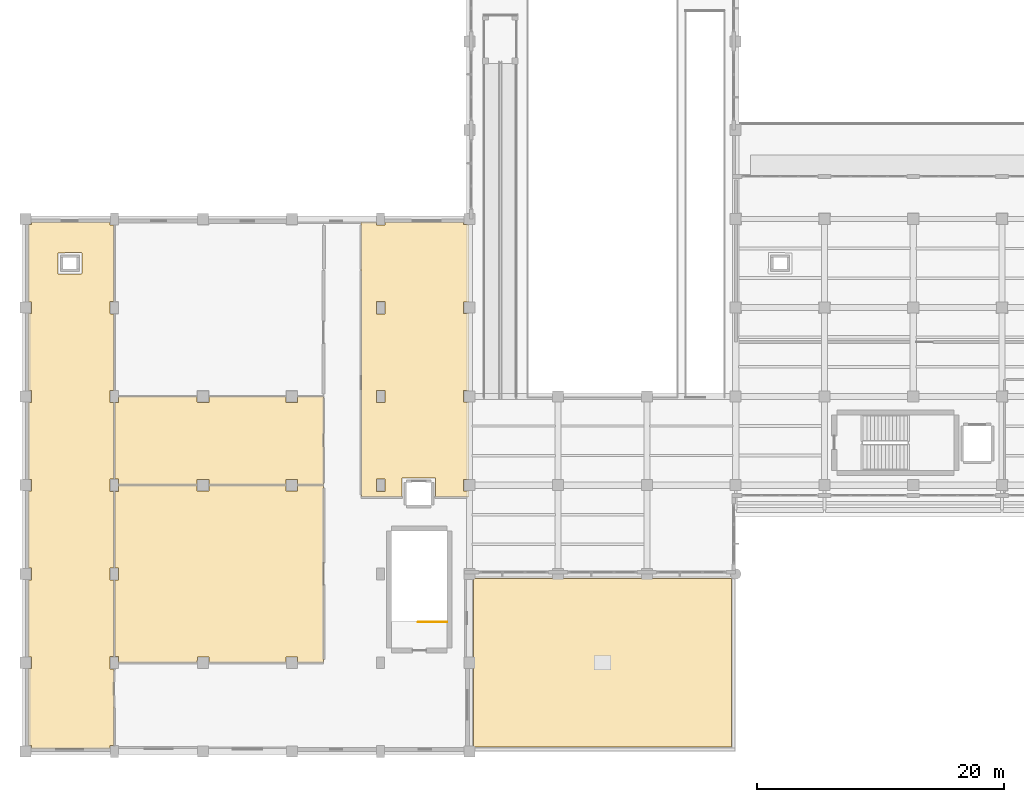
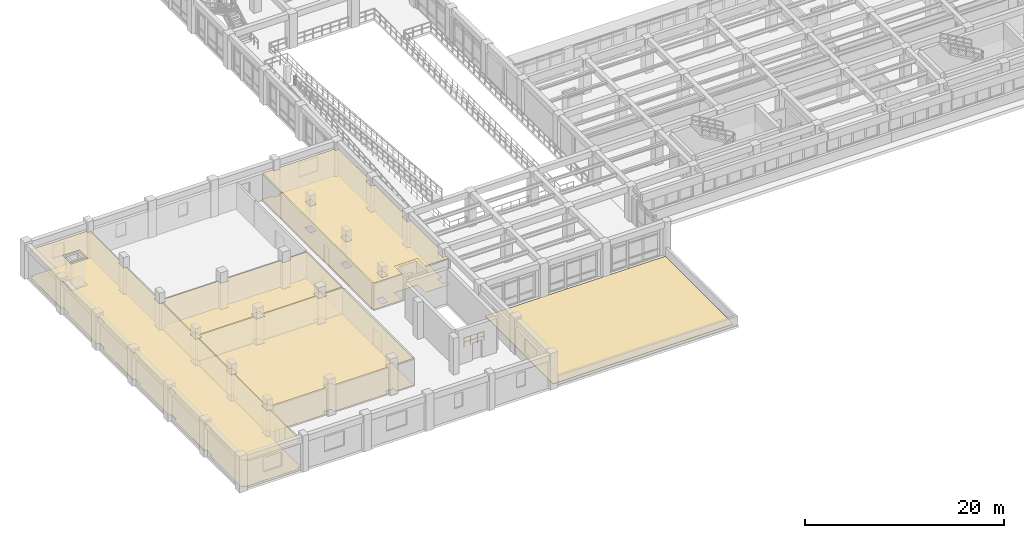
# One storey, part 57 of 69: 9 coverings, 1 railing.
"""IFC4 building model written with IfcOpenShell, lengths in metres."""

from ifc_helpers import new_model, si_unit, direction, frame, origin, origin_2d, place, context, subcontext, project, spatial, polyline, circle, outline, extrude, material, layer, layer_set, type_object, element, save


model = new_model("IFC4")

# Units and contexts
model_context = context("Model", 3, precision=1e-05, world=origin(), true_north=direction((0.0, 1.0)))
body_context = subcontext(model_context, "Body", "Model", "MODEL_VIEW")
ifc_project = project(units=[si_unit("LENGTHUNIT", "METRE"), si_unit("AREAUNIT", "SQUARE_METRE"), si_unit("VOLUMEUNIT", "CUBIC_METRE"), si_unit("PLANEANGLEUNIT", "RADIAN"), si_unit("MASSUNIT", "GRAM", prefix="KILO")], contexts=[model_context])

# Site, building, storey
site_placement = place(None, origin())
site = spatial("IfcSite", under=ifc_project, at=site_placement, CompositionType="ELEMENT")
building_placement = place(site_placement, origin())
building = spatial("IfcBuilding", under=site, at=building_placement, Name="Solenvale Faculty of Natural Sciences", CompositionType="ELEMENT")
storey_placement = place(building_placement, frame((0.0, 0.0, 4.5)))
storey = spatial("IfcBuildingStorey", under=building, at=storey_placement, Name="L01", CompositionType="ELEMENT", Elevation=4.5)

# Coverings
ifc_material_1 = material(Name="Acoustic mineral-timber ceiling", Category="wood")
ifc_layer_1 = layer(ifc_material_1, 0.02490234375)
ifc_layer_set_1 = layer_set([ifc_layer_1], Name="Acoustic mineral-timber ceiling")
covering_type_1 = type_object("IfcCoveringType", Name="COV-CEIL-AC25", PredefinedType="CEILING", material=ifc_layer_set_1)
covering_1_placement = place(storey_placement, frame((0.0, 0.0, 3.235107421875)))
element("IfcCovering", 1, at=covering_1_placement, inside=storey, type_object=covering_type_1, Name="L01 Audiovisual Equipment Storage Room Acoustic Ceiling", PredefinedType="CEILING", context=body_context, shape_type="SweptSolid", body=[
    extrude(outline(polyline([(6.820068359375, 42.9599609375), (6.85009765625, 42.93310546875), (6.85400390625, 42.701904296875), (7.153076171875, 42.699951171875), (7.179931640625, 42.669921875), (7.179931640625, 36.527099609375), (7.153076171875, 36.5), (6.861083984375, 36.5), (6.85009765625, 36.489013671875), (6.85009765625, 35.507080078125), (7.153076171875, 35.5), (7.179931640625, 35.469970703125), (7.179931640625, 29.326904296875), (7.153076171875, 29.300048828125), (6.861083984375, 29.300048828125), (6.85009765625, 29.2890625), (6.85009765625, 28.306884765625), (7.153076171875, 28.300048828125), (7.179931640625, 28.27001953125), (7.179931640625, 22.126953125), (7.153076171875, 22.10009765625), (6.861083984375, 22.10009765625), (6.85009765625, 22.089111328125), (6.85009765625, 21.10693359375), (7.153076171875, 21.10009765625), (7.179931640625, 21.070068359375), (7.179931640625, 14.927001953125), (7.153076171875, 14.89990234375), (6.861083984375, 14.89990234375), (6.85009765625, 14.888916015625), (6.85009765625, 13.906982421875), (7.153076171875, 13.89990234375), (7.179931640625, 13.8701171875), (7.179931640625, 7.72705078125), (7.153076171875, 7.699951171875), (6.861083984375, 7.699951171875), (6.85009765625, 7.68896484375), (6.85009765625, 6.70703125), (7.153076171875, 6.699951171875), (7.179931640625, 6.669921875), (7.159912109375, 6.60009765625), (7.159912109375, 3.60009765625), (7.179931640625, 3.551025390625), (7.179931640625, 0.527099609375), (7.153076171875, 0.5), (6.85400390625, 0.498046875), (6.85009765625, 0.26708984375), (6.820068359375, 0.239990234375), (0.501953125, 0.239990234375), (0.47509765625, 0.26708984375), (0.471923828125, 0.471923828125), (0.26708984375, 0.47509765625), (0.239990234375, 0.5048828125), (0.239990234375, 6.695068359375), (0.263916015625, 6.72412109375), (0.466064453125, 6.72509765625), (0.47509765625, 6.736083984375), (0.47509765625, 7.6669921875), (0.263916015625, 7.676025390625), (0.239990234375, 7.705078125), (0.239990234375, 13.89501953125), (0.263916015625, 13.924072265625), (0.466064453125, 13.925048828125), (0.47509765625, 13.93603515625), (0.47509765625, 14.866943359375), (0.263916015625, 14.8759765625), (0.239990234375, 14.905029296875), (0.239990234375, 21.094970703125), (0.263916015625, 21.1240234375), (0.466064453125, 21.125), (0.47509765625, 21.135986328125), (0.47509765625, 22.06689453125), (0.263916015625, 22.075927734375), (0.239990234375, 22.10498046875), (0.239990234375, 28.294921875), (0.263916015625, 28.323974609375), (0.466064453125, 28.324951171875), (0.47509765625, 28.3359375), (0.47509765625, 29.26708984375), (0.263916015625, 29.27587890625), (0.239990234375, 29.304931640625), (0.239990234375, 35.4951171875), (0.263916015625, 35.52392578125), (0.466064453125, 35.52490234375), (0.47509765625, 35.535888671875), (0.47509765625, 36.467041015625), (0.263916015625, 36.47607421875), (0.239990234375, 36.5048828125), (0.239990234375, 42.697998046875), (0.26708984375, 42.72509765625), (0.471923828125, 42.72802734375), (0.47509765625, 42.93310546875), (0.5048828125, 42.9599609375), (6.820068359375, 42.9599609375)]), holes=[polyline([(4.56005859375, 40.431884765625), (4.550048828125, 40.451904296875), (4.530029296875, 40.4599609375), (2.64990234375, 40.451904296875), (2.639892578125, 40.429931640625), (2.64794921875, 38.75), (2.669921875, 38.739990234375), (4.550048828125, 38.748046875), (4.56005859375, 38.77001953125), (4.56005859375, 40.431884765625)])]), origin(), (0.0, 0.0, 1.0), 0.02490234375),
])
covering_2_placement = place(storey_placement, frame((0.0, 0.0, 3.235107421875)))
element("IfcCovering", 2, at=covering_2_placement, inside=storey, type_object=covering_type_1, Name="L01 Academic Study Room Acoustic Ceiling", PredefinedType="CEILING", context=body_context, shape_type="SweptSolid", body=[
    extrude(outline(polyline([(7.239990234375, 28.27001953125), (7.26708984375, 28.300048828125), (7.548095703125, 28.303955078125), (7.550048828125, 28.7529296875), (7.580078125, 28.780029296875), (13.89794921875, 28.780029296875), (13.925048828125, 28.7529296875), (13.925048828125, 28.3359375), (13.93603515625, 28.324951171875), (14.868896484375, 28.325927734375), (14.875, 28.7529296875), (14.905029296875, 28.780029296875), (21.097900390625, 28.780029296875), (21.125, 28.7529296875), (21.125, 28.3359375), (21.135986328125, 28.324951171875), (22.069091796875, 28.325927734375), (22.074951171875, 28.7529296875), (22.09912109375, 28.779052734375), (24.14111328125, 28.778076171875), (24.159912109375, 28.75), (24.157958984375, 21.658935546875), (24.1298828125, 21.639892578125), (22.10205078125, 21.639892578125), (22.074951171875, 21.6669921875), (22.069091796875, 22.073974609375), (21.135986328125, 22.074951171875), (21.125, 22.06396484375), (21.125, 21.6669921875), (21.097900390625, 21.639892578125), (14.905029296875, 21.639892578125), (14.875, 21.6669921875), (14.868896484375, 22.073974609375), (13.93603515625, 22.074951171875), (13.925048828125, 22.06396484375), (13.925048828125, 21.6669921875), (13.89794921875, 21.639892578125), (7.569091796875, 21.64208984375), (7.550048828125, 21.669921875), (7.548095703125, 22.095947265625), (7.26708984375, 22.10009765625), (7.239990234375, 22.126953125), (7.239990234375, 28.27001953125)])), origin(), (0.0, 0.0, 1.0), 0.02490234375),
])
covering_3_placement = place(storey_placement, frame((0.0, 0.0, 3.235107421875)))
element("IfcCovering", 3, at=covering_3_placement, inside=storey, type_object=covering_type_1, Name="L01 Seminar Room Acoustic Ceiling", PredefinedType="CEILING", context=body_context, shape_type="SweptSolid", body=[
    extrude(outline(polyline([(27.239990234375, 39.0), (27.219970703125, 39.049072265625), (27.219970703125, 42.929931640625), (27.239013671875, 42.9580078125), (28.423095703125, 42.9599609375), (28.449951171875, 42.93310546875), (28.4560546875, 42.700927734375), (29.138916015625, 42.699951171875), (29.14990234375, 42.7109375), (29.15087890625, 42.93603515625), (29.179931640625, 42.9599609375), (35.4951171875, 42.9599609375), (35.52392578125, 42.93603515625), (35.530029296875, 42.72607421875), (35.949951171875, 42.72509765625), (35.97607421875, 42.708984375), (35.97998046875, 36.501953125), (35.952880859375, 36.47509765625), (35.535888671875, 36.47509765625), (35.52490234375, 36.464111328125), (35.52587890625, 35.531005859375), (35.952880859375, 35.52490234375), (35.97998046875, 35.4951171875), (35.97998046875, 29.302001953125), (35.952880859375, 29.27490234375), (35.535888671875, 29.27490234375), (35.52490234375, 29.263916015625), (35.52587890625, 28.3310546875), (35.952880859375, 28.324951171875), (35.97998046875, 28.294921875), (35.97998046875, 22.10205078125), (35.952880859375, 22.074951171875), (35.52587890625, 22.069091796875), (35.52490234375, 21.134033203125), (35.535888671875, 21.125), (35.949951171875, 21.125), (35.972900390625, 21.114013671875), (35.97998046875, 20.669921875), (35.964111328125, 20.64404296875), (33.27099609375, 20.64404296875), (33.2548828125, 20.669921875), (33.2548828125, 22.15087890625), (33.2451171875, 22.172119140625), (33.22509765625, 22.179931640625), (30.56005859375, 22.176025390625), (30.544921875, 22.14990234375), (30.544921875, 20.669921875), (30.52392578125, 20.64111328125), (27.27001953125, 20.639892578125), (27.243896484375, 20.656005859375), (27.239990234375, 39.0)]), holes=[polyline([(28.4609375, 36.5), (28.449951171875, 36.489013671875), (28.451904296875, 35.50390625), (29.14599609375, 35.501953125), (29.14794921875, 36.49609375), (28.4609375, 36.5)]), polyline([(29.14990234375, 22.089111328125), (29.138916015625, 22.10009765625), (28.451904296875, 22.095947265625), (28.4541015625, 21.10205078125), (29.14794921875, 21.10400390625), (29.14990234375, 22.089111328125)]), polyline([(29.14990234375, 29.2890625), (29.138916015625, 29.300048828125), (28.451904296875, 29.2958984375), (28.4541015625, 28.302001953125), (29.14794921875, 28.303955078125), (29.14990234375, 29.2890625)])]), origin(), (0.0, 0.0, 1.0), 0.02490234375),
])
ifc_material_2 = material(Name="Oak slatted acoustic timber ceiling", Category="wood")
ifc_layer_2 = layer(ifc_material_2, 0.034912109375)
ifc_layer_set_2 = layer_set([ifc_layer_2], Name="Oak slatted acoustic timber ceiling")
covering_type_2 = type_object("IfcCoveringType", Name="COV-CEIL-WD35", PredefinedType="CEILING", material=ifc_layer_set_2)
covering_4_placement = place(storey_placement, frame((0.0, 0.0, 3.22509765625)))
element("IfcCovering", 4, at=covering_4_placement, inside=storey, type_object=covering_type_2, Name="L01 Lecture Theatre Acoustic Ceiling", PredefinedType="CEILING", context=body_context, shape_type="SweptSolid", body=[
    extrude(outline(polyline([(7.239990234375, 13.8701171875), (7.26708984375, 13.89990234375), (7.5390625, 13.89990234375), (7.550048828125, 13.910888671875), (7.550048828125, 14.89306640625), (7.26708984375, 14.89990234375), (7.239990234375, 14.929931640625), (7.239990234375, 21.070068359375), (7.26708984375, 21.10009765625), (7.548095703125, 21.10400390625), (7.550048828125, 21.550048828125), (7.569091796875, 21.577880859375), (13.89794921875, 21.580078125), (13.925048828125, 21.552978515625), (13.925048828125, 21.135986328125), (13.93603515625, 21.125), (14.868896484375, 21.1259765625), (14.875, 21.552978515625), (14.905029296875, 21.580078125), (21.097900390625, 21.580078125), (21.125, 21.552978515625), (21.125, 21.135986328125), (21.135986328125, 21.125), (22.069091796875, 21.1259765625), (22.074951171875, 21.552978515625), (22.10205078125, 21.580078125), (24.1298828125, 21.580078125), (24.157958984375, 21.56103515625), (24.159912109375, 7.25), (24.14111328125, 7.221923828125), (22.09912109375, 7.220947265625), (22.074951171875, 7.2470703125), (22.074951171875, 7.6640625), (22.06396484375, 7.675048828125), (21.131103515625, 7.674072265625), (21.125, 7.2470703125), (21.094970703125, 7.219970703125), (14.902099609375, 7.219970703125), (14.875, 7.2470703125), (14.875, 7.6640625), (14.864013671875, 7.675048828125), (13.930908203125, 7.674072265625), (13.925048828125, 7.2470703125), (13.89794921875, 7.219970703125), (7.569091796875, 7.221923828125), (7.550048828125, 7.25), (7.548095703125, 7.696044921875), (7.26708984375, 7.699951171875), (7.239990234375, 7.72705078125), (7.239990234375, 13.8701171875)])), origin(), (0.0, 0.0, 1.0), 0.034912109375),
])
ifc_material_3 = material(Name="Polished slate terrazzo flooring", Category="masonry")
ifc_layer_3 = layer(ifc_material_3, 0.01806640625)
ifc_layer_set_3 = layer_set([ifc_layer_3], Name="Polished slate terrazzo flooring")
covering_type_3 = type_object("IfcCoveringType", Name="COV-FLR-TRZ18", PredefinedType="FLOORING", material=ifc_layer_set_3)
covering_5_placement = place(storey_placement, origin())
element("IfcCovering", 5, at=covering_5_placement, inside=storey, type_object=covering_type_3, Name="L01 Audiovisual Equipment Storage Room Floor Finish", PredefinedType="FLOORING", context=body_context, shape_type="SweptSolid", body=[
    extrude(outline(polyline([(6.820068359375, 42.9599609375), (6.85009765625, 42.93310546875), (6.85400390625, 42.701904296875), (7.153076171875, 42.699951171875), (7.179931640625, 42.669921875), (7.179931640625, 36.527099609375), (7.153076171875, 36.5), (6.861083984375, 36.5), (6.85009765625, 36.489013671875), (6.85009765625, 35.507080078125), (7.153076171875, 35.5), (7.179931640625, 35.469970703125), (7.179931640625, 29.326904296875), (7.153076171875, 29.300048828125), (6.861083984375, 29.300048828125), (6.85009765625, 29.2890625), (6.85009765625, 28.306884765625), (7.153076171875, 28.300048828125), (7.179931640625, 28.27001953125), (7.179931640625, 22.126953125), (7.153076171875, 22.10009765625), (6.861083984375, 22.10009765625), (6.85009765625, 22.089111328125), (6.85009765625, 21.10693359375), (7.153076171875, 21.10009765625), (7.179931640625, 21.070068359375), (7.179931640625, 14.927001953125), (7.153076171875, 14.89990234375), (6.861083984375, 14.89990234375), (6.85009765625, 14.888916015625), (6.85009765625, 13.906982421875), (7.153076171875, 13.89990234375), (7.179931640625, 13.8701171875), (7.179931640625, 7.72705078125), (7.153076171875, 7.699951171875), (6.861083984375, 7.699951171875), (6.85009765625, 7.68896484375), (6.85009765625, 6.70703125), (7.153076171875, 6.699951171875), (7.179931640625, 6.669921875), (7.159912109375, 6.60009765625), (7.159912109375, 3.60009765625), (7.179931640625, 3.551025390625), (7.179931640625, 0.527099609375), (7.153076171875, 0.5), (6.85400390625, 0.498046875), (6.85009765625, 0.26708984375), (6.820068359375, 0.239990234375), (0.501953125, 0.239990234375), (0.47509765625, 0.26708984375), (0.471923828125, 0.471923828125), (0.26708984375, 0.47509765625), (0.239990234375, 0.5048828125), (0.239990234375, 6.695068359375), (0.263916015625, 6.72412109375), (0.466064453125, 6.72509765625), (0.47509765625, 6.736083984375), (0.47509765625, 7.6669921875), (0.263916015625, 7.676025390625), (0.239990234375, 7.705078125), (0.239990234375, 13.89501953125), (0.263916015625, 13.924072265625), (0.466064453125, 13.925048828125), (0.47509765625, 13.93603515625), (0.47509765625, 14.866943359375), (0.263916015625, 14.8759765625), (0.239990234375, 14.905029296875), (0.239990234375, 21.094970703125), (0.263916015625, 21.1240234375), (0.466064453125, 21.125), (0.47509765625, 21.135986328125), (0.47509765625, 22.06689453125), (0.263916015625, 22.075927734375), (0.239990234375, 22.10498046875), (0.239990234375, 28.294921875), (0.263916015625, 28.323974609375), (0.466064453125, 28.324951171875), (0.47509765625, 28.3359375), (0.47509765625, 29.26708984375), (0.263916015625, 29.27587890625), (0.239990234375, 29.304931640625), (0.239990234375, 35.4951171875), (0.263916015625, 35.52392578125), (0.466064453125, 35.52490234375), (0.47509765625, 35.535888671875), (0.47509765625, 36.467041015625), (0.263916015625, 36.47607421875), (0.239990234375, 36.5048828125), (0.239990234375, 42.697998046875), (0.26708984375, 42.72509765625), (0.471923828125, 42.72802734375), (0.47509765625, 42.93310546875), (0.5048828125, 42.9599609375), (6.820068359375, 42.9599609375)]), holes=[polyline([(4.56005859375, 40.431884765625), (4.550048828125, 40.451904296875), (4.530029296875, 40.4599609375), (2.64990234375, 40.451904296875), (2.639892578125, 40.429931640625), (2.64794921875, 38.75), (2.669921875, 38.739990234375), (4.550048828125, 38.748046875), (4.56005859375, 38.77001953125), (4.56005859375, 40.431884765625)])]), origin(), (0.0, 0.0, 1.0), 0.01806640625),
])
covering_6_placement = place(storey_placement, origin())
element("IfcCovering", 6, at=covering_6_placement, inside=storey, type_object=covering_type_3, Name="L01 Lecture Theatre Floor Finish", PredefinedType="FLOORING", context=body_context, shape_type="SweptSolid", body=[
    extrude(outline(polyline([(7.239990234375, 13.8701171875), (7.26708984375, 13.89990234375), (7.5390625, 13.89990234375), (7.550048828125, 13.910888671875), (7.550048828125, 14.89306640625), (7.26708984375, 14.89990234375), (7.239990234375, 14.929931640625), (7.239990234375, 21.070068359375), (7.26708984375, 21.10009765625), (7.548095703125, 21.10400390625), (7.550048828125, 21.550048828125), (7.569091796875, 21.577880859375), (13.89794921875, 21.580078125), (13.925048828125, 21.552978515625), (13.925048828125, 21.135986328125), (13.93603515625, 21.125), (14.868896484375, 21.1259765625), (14.875, 21.552978515625), (14.905029296875, 21.580078125), (21.097900390625, 21.580078125), (21.125, 21.552978515625), (21.125, 21.135986328125), (21.135986328125, 21.125), (22.069091796875, 21.1259765625), (22.074951171875, 21.552978515625), (22.10205078125, 21.580078125), (24.1298828125, 21.580078125), (24.157958984375, 21.56103515625), (24.159912109375, 7.25), (24.14111328125, 7.221923828125), (22.09912109375, 7.220947265625), (22.074951171875, 7.2470703125), (22.074951171875, 7.6640625), (22.06396484375, 7.675048828125), (21.131103515625, 7.674072265625), (21.125, 7.2470703125), (21.094970703125, 7.219970703125), (14.902099609375, 7.219970703125), (14.875, 7.2470703125), (14.875, 7.6640625), (14.864013671875, 7.675048828125), (13.930908203125, 7.674072265625), (13.925048828125, 7.2470703125), (13.89794921875, 7.219970703125), (7.569091796875, 7.221923828125), (7.550048828125, 7.25), (7.548095703125, 7.696044921875), (7.26708984375, 7.699951171875), (7.239990234375, 7.72705078125), (7.239990234375, 13.8701171875)])), origin(), (0.0, 0.0, 1.0), 0.01806640625),
])
covering_7_placement = place(storey_placement, origin())
element("IfcCovering", 7, at=covering_7_placement, inside=storey, type_object=covering_type_3, Name="L01 Academic Study Room Floor Finish", PredefinedType="FLOORING", context=body_context, shape_type="SweptSolid", body=[
    extrude(outline(polyline([(7.239990234375, 28.27001953125), (7.26708984375, 28.300048828125), (7.548095703125, 28.303955078125), (7.550048828125, 28.7529296875), (7.580078125, 28.780029296875), (13.89794921875, 28.780029296875), (13.925048828125, 28.7529296875), (13.925048828125, 28.3359375), (13.93603515625, 28.324951171875), (14.868896484375, 28.325927734375), (14.875, 28.7529296875), (14.905029296875, 28.780029296875), (21.097900390625, 28.780029296875), (21.125, 28.7529296875), (21.125, 28.3359375), (21.135986328125, 28.324951171875), (22.069091796875, 28.325927734375), (22.074951171875, 28.7529296875), (22.09912109375, 28.779052734375), (24.14111328125, 28.778076171875), (24.159912109375, 28.75), (24.157958984375, 21.658935546875), (24.1298828125, 21.639892578125), (22.10205078125, 21.639892578125), (22.074951171875, 21.6669921875), (22.069091796875, 22.073974609375), (21.135986328125, 22.074951171875), (21.125, 22.06396484375), (21.125, 21.6669921875), (21.097900390625, 21.639892578125), (14.905029296875, 21.639892578125), (14.875, 21.6669921875), (14.868896484375, 22.073974609375), (13.93603515625, 22.074951171875), (13.925048828125, 22.06396484375), (13.925048828125, 21.6669921875), (13.89794921875, 21.639892578125), (7.569091796875, 21.64208984375), (7.550048828125, 21.669921875), (7.548095703125, 22.095947265625), (7.26708984375, 22.10009765625), (7.239990234375, 22.126953125), (7.239990234375, 28.27001953125)])), origin(), (0.0, 0.0, 1.0), 0.01806640625),
])
covering_8_placement = place(storey_placement, origin())
element("IfcCovering", 8, at=covering_8_placement, inside=storey, type_object=covering_type_3, Name="L01 Seminar Room Floor Finish", PredefinedType="FLOORING", context=body_context, shape_type="SweptSolid", body=[
    extrude(outline(polyline([(27.239990234375, 39.0), (27.219970703125, 39.049072265625), (27.219970703125, 42.929931640625), (27.239013671875, 42.9580078125), (28.423095703125, 42.9599609375), (28.449951171875, 42.93310546875), (28.4560546875, 42.700927734375), (29.138916015625, 42.699951171875), (29.14990234375, 42.7109375), (29.15087890625, 42.93603515625), (29.179931640625, 42.9599609375), (35.4951171875, 42.9599609375), (35.52392578125, 42.93603515625), (35.530029296875, 42.72607421875), (35.949951171875, 42.72509765625), (35.97607421875, 42.708984375), (35.97998046875, 36.501953125), (35.952880859375, 36.47509765625), (35.535888671875, 36.47509765625), (35.52490234375, 36.464111328125), (35.52587890625, 35.531005859375), (35.952880859375, 35.52490234375), (35.97998046875, 35.4951171875), (35.97998046875, 29.302001953125), (35.952880859375, 29.27490234375), (35.535888671875, 29.27490234375), (35.52490234375, 29.263916015625), (35.52587890625, 28.3310546875), (35.952880859375, 28.324951171875), (35.97998046875, 28.294921875), (35.97998046875, 22.10205078125), (35.952880859375, 22.074951171875), (35.52587890625, 22.069091796875), (35.52490234375, 21.134033203125), (35.535888671875, 21.125), (35.949951171875, 21.125), (35.972900390625, 21.114013671875), (35.97998046875, 20.669921875), (35.964111328125, 20.64404296875), (33.27099609375, 20.64404296875), (33.2548828125, 20.669921875), (33.2548828125, 22.15087890625), (33.2451171875, 22.172119140625), (33.22509765625, 22.179931640625), (30.56005859375, 22.176025390625), (30.544921875, 22.14990234375), (30.544921875, 20.669921875), (30.52392578125, 20.64111328125), (27.27001953125, 20.639892578125), (27.243896484375, 20.656005859375), (27.239990234375, 39.0)]), holes=[polyline([(28.4609375, 36.5), (28.449951171875, 36.489013671875), (28.451904296875, 35.50390625), (29.14599609375, 35.501953125), (29.14794921875, 36.49609375), (28.4609375, 36.5)]), polyline([(29.14990234375, 22.089111328125), (29.138916015625, 22.10009765625), (28.451904296875, 22.095947265625), (28.4541015625, 21.10205078125), (29.14794921875, 21.10400390625), (29.14990234375, 22.089111328125)]), polyline([(29.14990234375, 29.2890625), (29.138916015625, 29.300048828125), (28.451904296875, 29.2958984375), (28.4541015625, 28.302001953125), (29.14794921875, 28.303955078125), (29.14990234375, 29.2890625)])]), origin(), (0.0, 0.0, 1.0), 0.01806640625),
])
ifc_material_4 = material(Name="Insulated EPDM roofing membrane")
ifc_layer_4 = layer(ifc_material_4, 0.06494140625)
ifc_layer_set_4 = layer_set([ifc_layer_4], Name="Insulated EPDM roofing membrane")
covering_type_4 = type_object("IfcCoveringType", Name="COV-ROOF-MEMB", PredefinedType="ROOFING", material=ifc_layer_set_4)
covering_9_placement = place(storey_placement, origin())
element("IfcCovering", 9, at=covering_9_placement, inside=storey, type_object=covering_type_4, Name="L01 Roof Covering 2", PredefinedType="ROOFING", context=body_context, shape_type="SweptSolid", body=[
    extrude(outline(polyline([(36.35009765625, 0.35009765625), (36.35009765625, 14.050048828125), (57.25, 14.050048828125), (57.25, 0.35009765625), (36.35009765625, 0.35009765625)])), origin(), (0.0, 0.0, 1.0), 0.06494140625),
])

# Railing
ifc_material_5 = material(Name="Stainless steel Grade 304", Category="steel")
railing_type = type_object("IfcRailingType", Name="RL-GRD-1100", PredefinedType="GUARDRAIL", material=ifc_material_5)
railing_placement = place(storey_placement, frame((34.199951171875, 10.489990234375, 0.0)))
element("IfcRailing", 10, at=railing_placement, inside=storey, type_object=railing_type, Name="L01 ST-01 top well guard 1", PredefinedType="GUARDRAIL", context=body_context, shape_type="SweptSolid", body=[
    extrude(circle(Radius=0.02392578125, at=origin_2d()), frame((0.0, 0.0, 1.09619140625), z_axis=(-1.0, 0.0, 0.0), x_axis=(0.0, -1.0, 0.0)), (0.0, 0.0, 1.0), 2.349853515625),
    extrude(circle(Radius=0.01611328125, at=origin_2d()), frame((0.0, 0.0, 0.56005859375), z_axis=(-1.0, 0.0, 0.0), x_axis=(0.0, -1.0, 0.0)), (0.0, 0.0, 1.0), 2.349853515625),
    extrude(circle(Radius=0.02099609375, at=origin_2d()), origin(), (0.0, 0.0, 1.0), 1.072021484375),
    extrude(circle(Radius=0.02099609375, at=origin_2d()), frame((-0.783203125, 0.0, 0.0)), (0.0, 0.0, 1.0), 1.072021484375),
    extrude(circle(Radius=0.02099609375, at=origin_2d()), frame((-1.566650390625, 0.0, 0.0)), (0.0, 0.0, 1.0), 1.072021484375),
    extrude(circle(Radius=0.02099609375, at=origin_2d()), frame((-2.349853515625, 0.0, 0.0)), (0.0, 0.0, 1.0), 1.072021484375),
])

save(model, "model.ifc")
